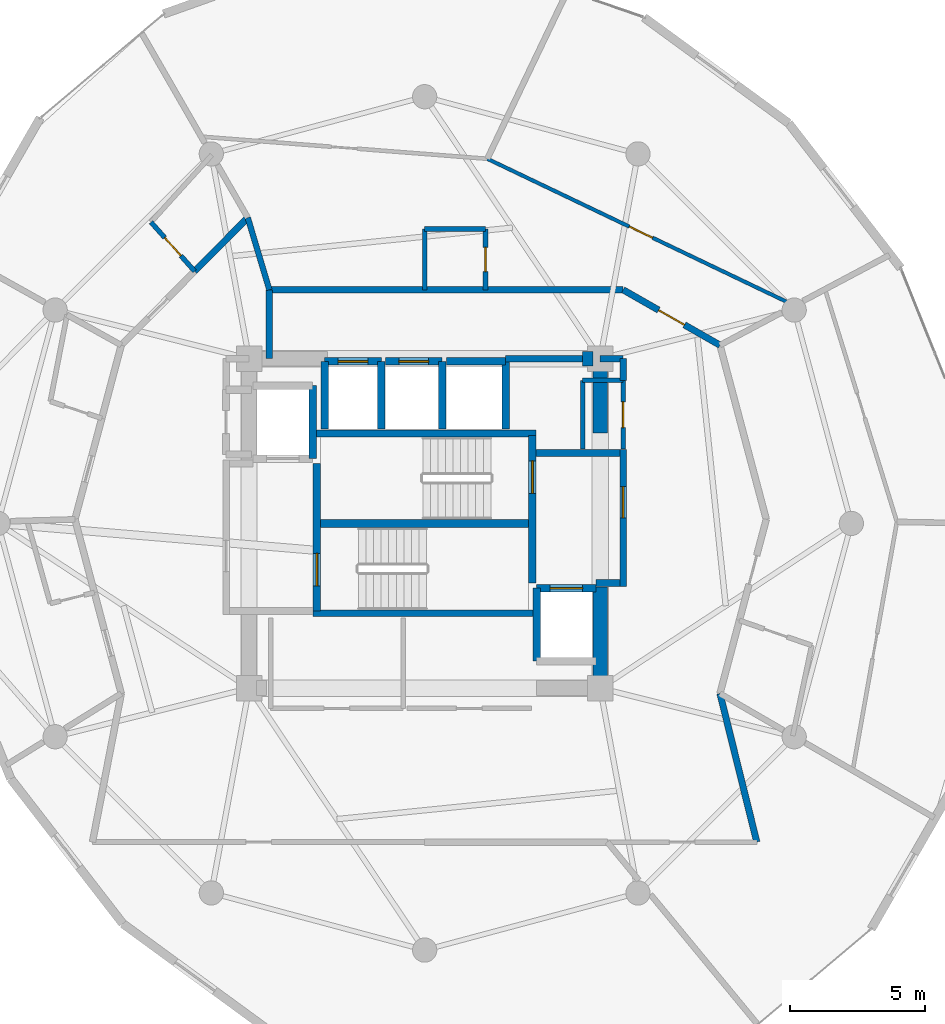
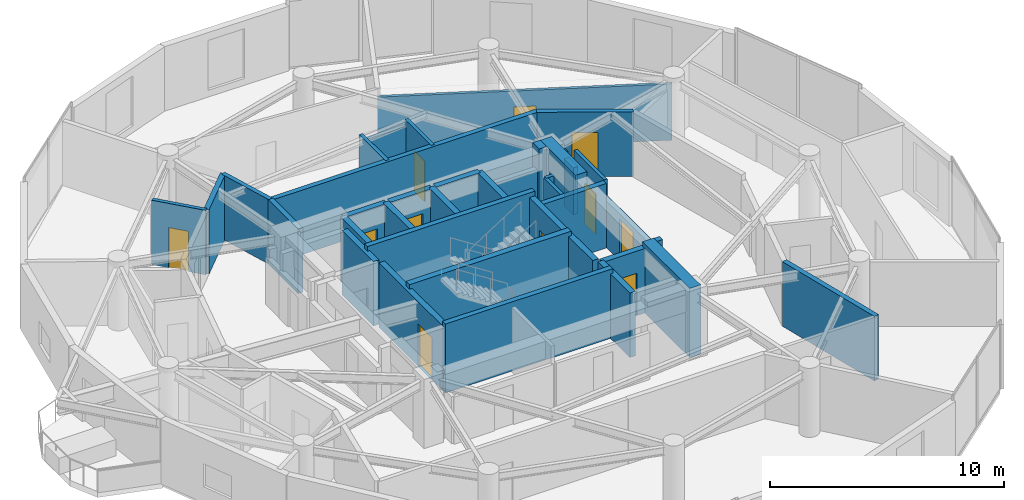
# One storey, part 13 of 17: 38 walls, 11 doors, 11 openings.
"""IFC4 building model written with IfcOpenShell, lengths in metres."""

from ifc_helpers import new_model, si_unit, direction, frame, frame_2d, origin, place, context, subcontext, project, spatial, rectangle, extrude, material, layer, layer_set, type_object, element, fill, save


model = new_model("IFC4")

# Units and contexts
model_context = context("Model", 3, precision=1e-05, world=origin(), true_north=direction((0.0, 1.0)))
body_context = subcontext(model_context, "Body", "Model", "MODEL_VIEW")
ifc_project = project(units=[si_unit("LENGTHUNIT", "METRE"), si_unit("AREAUNIT", "SQUARE_METRE"), si_unit("VOLUMEUNIT", "CUBIC_METRE"), si_unit("PLANEANGLEUNIT", "RADIAN"), si_unit("MASSUNIT", "GRAM", prefix="KILO")], contexts=[model_context])

# Site, building, storey
site_placement = place(None, origin())
site = spatial("IfcSite", under=ifc_project, at=site_placement, CompositionType="ELEMENT")
building_placement = place(site_placement, origin())
building = spatial("IfcBuilding", under=site, at=building_placement, Name="Solvirekh Grand Hotel", CompositionType="ELEMENT")
storey_placement = place(building_placement, frame((0.0, 0.0, 191.199951171875)))
storey = spatial("IfcBuildingStorey", under=building, at=storey_placement, Name="L49", CompositionType="ELEMENT", Elevation=191.199951171875)

# Walls
ifc_material_1 = material(Name="Concrete C50/60", Category="concrete")
ifc_layer_1 = layer(ifc_material_1, 0.35009765625)
ifc_layer_set_1 = layer_set([ifc_layer_1], Name="Concrete C50/60")
wall_type_1 = type_object("IfcWallType", Name="CoreDivWall_RC350", PredefinedType="SOLIDWALL", material=ifc_layer_set_1)
for number, where, z_axis, x_axis, name in (
    (1, (-4.1298828125, -3.324951171875, 0.0), (0.0, 0.0, 1.0), (1.0, 0.0, 0.0), "L49 core stair box wall ST-S"),
    (2, (-4.1298828125, 3.324951171875, 0.0), (0.0, 0.0, 1.0), (1.0, 0.0, 0.0), "L49 core stair box wall ST-N"),
):
    element("IfcWall", number, at=place(storey_placement, frame(where, z_axis=z_axis, x_axis=x_axis)), inside=storey, type_object=wall_type_1, Name=name, PredefinedType="SOLIDWALL", context=body_context, shape_type="SweptSolid", body=[
        extrude(rectangle(XDim=8.259765625, YDim=0.25, at=frame_2d((4.1298828125, 0.0))), origin(), (0.0, 0.0, 1.0), 3.60009765625),
    ])

# Wall, opening, door
ifc_material_2 = material(Name="Concrete C40/50", Category="concrete")
ifc_layer_2 = layer(ifc_material_2, 0.280029296875)
ifc_layer_set_2 = layer_set([ifc_layer_2], Name="Concrete C40/50")
wall_type_2 = type_object("IfcWallType", Name="CoreShaftWall_RC280", PredefinedType="SOLIDWALL", material=ifc_layer_set_2)
wall_1_placement = place(storey_placement, frame((-1.60009765625, 6.0, 0.0), z_axis=(0.0, 0.0, 1.0), x_axis=(-1.0, 0.0, 0.0)))
wall_1 = element("IfcWall", 3, at=wall_1_placement, inside=storey, type_object=wall_type_2, Name="L49 HP-1 hoistway N wall", PredefinedType="SOLIDWALL", context=body_context, shape_type="SweptSolid", body=[
    extrude(rectangle(XDim=2.099853515625, YDim=0.280029296875, at=frame_2d((1.0498046875, 0.0))), origin(), (0.0, 0.0, 1.0), 3.360107421875),
])
opening_1_placement = place(wall_1_placement, frame((0.5, 0.0, 0.0)))
opening_1 = element("IfcOpeningElement", 4, at=opening_1_placement, cuts=wall_1, Name="Opening LD01", PredefinedType="OPENING", context=body_context, shape_type="SweptSolid", body=[
    extrude(rectangle(XDim=1.10009765625, YDim=2.199951171875, at=frame_2d((0.550048828125, 1.10009765625))), frame((0.0, 0.14990234375, 0.0), z_axis=(0.0, -1.0, 0.0), x_axis=(1.0, 0.0, 0.0)), (0.0, 0.0, 1.0), 0.300048828125),
])
ifc_material_3 = material(Name="Fire-Rated Steel Door Assembly", Category="steel")
door_type_1 = type_object("IfcDoorType", Name="Door_LiftLanding_1100X2200", OperationType="SLIDING_TO_LEFT", PredefinedType="DOOR", material=ifc_material_3)
door_1_placement = place(opening_1_placement, origin())
door_1 = element("IfcDoor", 5, at=door_1_placement, inside=storey, type_object=door_type_1, Name="L49 HP-1 sliding lift landing door", OperationType="SLIDING_TO_LEFT", OverallHeight=2.199951171875, OverallWidth=1.10009765625, PredefinedType="DOOR", context=body_context, shape_type="SweptSolid", body=[
    extrude(rectangle(XDim=1.10009765625, YDim=2.199951171875, at=frame_2d((0.550048828125, 1.10009765625))), frame((0.0, 0.02490234375, 0.0), z_axis=(0.0, -1.0, 0.0), x_axis=(1.0, 0.0, 0.0)), (0.0, 0.0, 1.0), 0.050048828125),
])
fill(opening_1, door_1)

# Walls
for number, where, z_axis, x_axis, name in (
    (6, (-3.699951171875, 6.0, 0.0), (0.0, 0.0, 1.0), (0.0, -1.0, 0.0), "L49 HP-1 hoistway W wall"),
    (7, (-1.60009765625, 3.5, 0.0), (0.0, 0.0, 1.0), (0.0, 1.0, 0.0), "L49 HP-1 hoistway E wall"),
):
    element("IfcWall", number, at=place(storey_placement, frame(where, z_axis=z_axis, x_axis=x_axis)), inside=storey, type_object=wall_type_2, Name=name, PredefinedType="SOLIDWALL", context=body_context, shape_type="SweptSolid", body=[
        extrude(rectangle(XDim=2.5, YDim=0.280029296875, at=frame_2d((1.25, 0.0))), origin(), (0.0, 0.0, 1.0), 3.360107421875),
    ])

# Wall, opening, door
wall_2_placement = place(storey_placement, frame((0.64990234375, 6.0, 0.0), z_axis=(0.0, 0.0, 1.0), x_axis=(-1.0, 0.0, 0.0)))
wall_2 = element("IfcWall", 8, at=wall_2_placement, inside=storey, type_object=wall_type_2, Name="L49 HP-2 hoistway N wall", PredefinedType="SOLIDWALL", context=body_context, shape_type="SweptSolid", body=[
    extrude(rectangle(XDim=2.099853515625, YDim=0.280029296875, at=frame_2d((1.0498046875, 0.0))), origin(), (0.0, 0.0, 1.0), 3.360107421875),
])
opening_2_placement = place(wall_2_placement, frame((0.5, 0.0, 0.0)))
opening_2 = element("IfcOpeningElement", 9, at=opening_2_placement, cuts=wall_2, Name="Opening LD01", PredefinedType="OPENING", context=body_context, shape_type="SweptSolid", body=[
    extrude(rectangle(XDim=1.10009765625, YDim=2.199951171875, at=frame_2d((0.550048828125, 1.10009765625))), frame((0.0, 0.14990234375, 0.0), z_axis=(0.0, -1.0, 0.0), x_axis=(1.0, 0.0, 0.0)), (0.0, 0.0, 1.0), 0.300048828125),
])
door_2_placement = place(opening_2_placement, origin())
door_2 = element("IfcDoor", 10, at=door_2_placement, inside=storey, type_object=door_type_1, Name="L49 HP-2 sliding lift landing door", OperationType="SLIDING_TO_LEFT", OverallHeight=2.199951171875, OverallWidth=1.10009765625, PredefinedType="DOOR", context=body_context, shape_type="SweptSolid", body=[
    extrude(rectangle(XDim=1.10009765625, YDim=2.199951171875, at=frame_2d((0.550048828125, 1.10009765625))), frame((0.0, 0.02490234375, 0.0), z_axis=(0.0, -1.0, 0.0), x_axis=(1.0, 0.0, 0.0)), (0.0, 0.0, 1.0), 0.050048828125),
])
fill(opening_2, door_2)

# Walls
wall_3_placement = place(storey_placement, frame((0.64990234375, 3.5, 0.0), z_axis=(0.0, 0.0, 1.0), x_axis=(0.0, 1.0, 0.0)))
element("IfcWall", 11, at=wall_3_placement, inside=storey, type_object=wall_type_2, Name="L49 HP-2 hoistway E wall", PredefinedType="SOLIDWALL", context=body_context, shape_type="SweptSolid", body=[
    extrude(rectangle(XDim=2.5, YDim=0.280029296875, at=frame_2d((1.25, 0.0))), origin(), (0.0, 0.0, 1.0), 3.360107421875),
])
wall_4_placement = place(storey_placement, frame((3.0, 6.0, 0.0), z_axis=(0.0, 0.0, 1.0), x_axis=(-1.0, 0.0, 0.0)))
element("IfcWall", 12, at=wall_4_placement, inside=storey, type_object=wall_type_2, Name="L49 EX-1 hoistway N wall", PredefinedType="SOLIDWALL", context=body_context, shape_type="SweptSolid", body=[
    extrude(rectangle(XDim=2.199951171875, YDim=0.280029296875, at=frame_2d((1.10009765625, 0.0))), origin(), (0.0, 0.0, 1.0), 3.360107421875),
])
wall_5_placement = place(storey_placement, frame((3.0, 3.5, 0.0), z_axis=(0.0, 0.0, 1.0), x_axis=(0.0, 1.0, 0.0)))
element("IfcWall", 13, at=wall_5_placement, inside=storey, type_object=wall_type_2, Name="L49 EX-1 hoistway E wall", PredefinedType="SOLIDWALL", context=body_context, shape_type="SweptSolid", body=[
    extrude(rectangle(XDim=2.5, YDim=0.280029296875, at=frame_2d((1.25, 0.0))), origin(), (0.0, 0.0, 1.0), 3.360107421875),
])
wall_6_placement = place(storey_placement, frame((-4.14990234375, 2.39990234375, 0.0), z_axis=(0.0, 0.0, 1.0), x_axis=(0.0, 1.0, 0.0)))
element("IfcWall", 14, at=wall_6_placement, inside=storey, type_object=wall_type_2, Name="L49 FL-1 hoistway E wall", PredefinedType="SOLIDWALL", context=body_context, shape_type="SweptSolid", body=[
    extrude(rectangle(XDim=2.7001953125, YDim=0.280029296875, at=frame_2d((1.35009765625, 0.0))), origin(), (0.0, 0.0, 1.0), 3.360107421875),
])

# Wall, opening, door
wall_7_placement = place(storey_placement, frame((6.35009765625, -2.39990234375, 0.0), z_axis=(0.0, 0.0, 1.0), x_axis=(-1.0, 0.0, 0.0)))
wall_7 = element("IfcWall", 15, at=wall_7_placement, inside=storey, type_object=wall_type_2, Name="L49 FL-2 hoistway N wall", PredefinedType="SOLIDWALL", context=body_context, shape_type="SweptSolid", body=[
    extrude(rectangle(XDim=2.2001953125, YDim=0.280029296875, at=frame_2d((1.10009765625, 0.0))), origin(), (0.0, 0.0, 1.0), 3.360107421875),
])
opening_3_placement = place(wall_7_placement, frame((0.5, 0.0, 0.0)))
opening_3 = element("IfcOpeningElement", 16, at=opening_3_placement, cuts=wall_7, Name="Opening LD02", PredefinedType="OPENING", context=body_context, shape_type="SweptSolid", body=[
    extrude(rectangle(XDim=1.199951171875, YDim=2.199951171875, at=frame_2d((0.60009765625, 1.10009765625))), frame((0.0, 0.14990234375, 0.0), z_axis=(0.0, -1.0, 0.0), x_axis=(1.0, 0.0, 0.0)), (0.0, 0.0, 1.0), 0.300048828125),
])
door_type_2 = type_object("IfcDoorType", Name="Door_LiftFF_1200X2200", OperationType="SLIDING_TO_LEFT", PredefinedType="DOOR", material=ifc_material_3)
door_3_placement = place(opening_3_placement, origin())
door_3 = element("IfcDoor", 17, at=door_3_placement, inside=storey, type_object=door_type_2, Name="L49 FL-2 sliding lift landing door", OperationType="SLIDING_TO_LEFT", OverallHeight=2.199951171875, OverallWidth=1.199951171875, PredefinedType="DOOR", context=body_context, shape_type="SweptSolid", body=[
    extrude(rectangle(XDim=1.199951171875, YDim=2.199951171875, at=frame_2d((0.60009765625, 1.10009765625))), frame((0.0, 0.02490234375, 0.0), z_axis=(0.0, -1.0, 0.0), x_axis=(1.0, 0.0, 0.0)), (0.0, 0.0, 1.0), 0.050048828125),
])
fill(opening_3, door_3)

# Wall
wall_8_placement = place(storey_placement, frame((4.14990234375, -2.39990234375, 0.0), z_axis=(0.0, 0.0, 1.0), x_axis=(0.0, -1.0, 0.0)))
element("IfcWall", 18, at=wall_8_placement, inside=storey, type_object=wall_type_2, Name="L49 FL-2 hoistway W wall", PredefinedType="SOLIDWALL", context=body_context, shape_type="SweptSolid", body=[
    extrude(rectangle(XDim=2.7001953125, YDim=0.280029296875, at=frame_2d((1.35009765625, 0.0))), origin(), (0.0, 0.0, 1.0), 3.360107421875),
])

# Wall, opening, door
wall_9_placement = place(storey_placement, frame((-3.989990234375, -3.25, 0.0), z_axis=(0.0, 0.0, 1.0), x_axis=(0.0, 1.0, 0.0)))
wall_9 = element("IfcWall", 19, at=wall_9_placement, inside=storey, type_object=wall_type_2, Name="L49 west stair landing enclosure wall", PredefinedType="SOLIDWALL", context=body_context, shape_type="SweptSolid", body=[
    extrude(rectangle(XDim=5.4599609375, YDim=0.280029296875, at=frame_2d((2.72998046875, 0.0))), origin(), (0.0, 0.0, 1.0), 3.360107421875),
])
opening_4_placement = place(wall_9_placement, frame((0.93701171875, 0.0, 0.0)))
opening_4 = element("IfcOpeningElement", 20, at=opening_4_placement, cuts=wall_9, Name="Opening D05", PredefinedType="OPENING", context=body_context, shape_type="SweptSolid", body=[
    extrude(rectangle(XDim=1.199951171875, YDim=2.199951171875, at=frame_2d((0.60009765625, 1.10009765625))), frame((0.0, 0.14990234375, 0.0), z_axis=(0.0, -1.0, 0.0), x_axis=(1.0, 0.0, 0.0)), (0.0, 0.0, 1.0), 0.300048828125),
])
door_type_3 = type_object("IfcDoorType", Name="Door_StairCore_1200X2200", OperationType="NOTDEFINED", PredefinedType="DOOR", material=ifc_material_3)
door_4_placement = place(opening_4_placement, origin())
door_4 = element("IfcDoor", 21, at=door_4_placement, inside=storey, type_object=door_type_3, Name="L49 exit stair ST-1 fire door", OperationType="SINGLE_SWING_RIGHT", OverallHeight=2.199951171875, OverallWidth=1.199951171875, PredefinedType="DOOR", context=body_context, shape_type="SweptSolid", body=[
    extrude(rectangle(XDim=1.199951171875, YDim=2.199951171875, at=frame_2d((0.60009765625, 1.10009765625))), frame((0.0, 0.02490234375, 0.0), z_axis=(0.0, -1.0, 0.0), x_axis=(1.0, 0.0, 0.0)), (0.0, 0.0, 1.0), 0.050048828125),
])
fill(opening_4, door_4)

wall_10_placement = place(storey_placement, frame((3.989990234375, -2.2099609375, 0.0), z_axis=(0.0, 0.0, 1.0), x_axis=(0.0, 1.0, 0.0)))
wall_10 = element("IfcWall", 22, at=wall_10_placement, inside=storey, type_object=wall_type_2, Name="L49 east stair landing enclosure wall", PredefinedType="SOLIDWALL", context=body_context, shape_type="SweptSolid", body=[
    extrude(rectangle(XDim=5.4599609375, YDim=0.280029296875, at=frame_2d((2.72998046875, 0.0))), origin(), (0.0, 0.0, 1.0), 3.360107421875),
])
opening_5_placement = place(wall_10_placement, frame((3.322998046875, 0.0, 0.0)))
opening_5 = element("IfcOpeningElement", 23, at=opening_5_placement, cuts=wall_10, Name="Opening D05", PredefinedType="OPENING", context=body_context, shape_type="SweptSolid", body=[
    extrude(rectangle(XDim=1.199951171875, YDim=2.199951171875, at=frame_2d((0.60009765625, 1.10009765625))), frame((0.0, 0.14990234375, 0.0), z_axis=(0.0, -1.0, 0.0), x_axis=(1.0, 0.0, 0.0)), (0.0, 0.0, 1.0), 0.300048828125),
])
door_5_placement = place(opening_5_placement, origin())
door_5 = element("IfcDoor", 24, at=door_5_placement, inside=storey, type_object=door_type_3, Name="L49 exit stair ST-2 fire door", OperationType="SINGLE_SWING_LEFT", OverallHeight=2.199951171875, OverallWidth=1.199951171875, PredefinedType="DOOR", context=body_context, shape_type="SweptSolid", body=[
    extrude(rectangle(XDim=1.199951171875, YDim=2.199951171875, at=frame_2d((0.60009765625, 1.10009765625))), frame((0.0, 0.02490234375, 0.0), z_axis=(0.0, -1.0, 0.0), x_axis=(1.0, 0.0, 0.0)), (0.0, 0.0, 1.0), 0.050048828125),
])
fill(opening_5, door_5)

# Walls
ifc_layer_3 = layer(ifc_material_1, 0.550048828125)
ifc_layer_set_3 = layer_set([ifc_layer_3], Name="Concrete C50/60")
wall_type_3 = type_object("IfcWallType", Name="CoreWall_RC550", PredefinedType="SHEAR", material=ifc_layer_set_3)
wall_11_placement = place(storey_placement, frame((-3.989990234375, 0.0, 0.0), z_axis=(0.0, 0.0, 1.0), x_axis=(1.0, 0.0, 0.0)))
element("IfcWall", 25, at=wall_11_placement, inside=storey, type_object=wall_type_3, Name="L49 central stair-spine shear wall", PredefinedType="SHEAR", context=body_context, shape_type="SweptSolid", body=[
    extrude(rectangle(XDim=7.97998046875, YDim=0.300048828125, at=frame_2d((3.989990234375, 0.0))), origin(), (0.0, 0.0, 1.0), 3.60009765625),
])
wall_12_placement = place(storey_placement, frame((5.85009765625, 6.10009765625, 0.0), z_axis=(0.0, 0.0, 1.0), x_axis=(1.0, 0.0, 0.0)))
element("IfcWall", 26, at=wall_12_placement, inside=storey, type_object=wall_type_3, Name="L49 core corner shear wall NE-N", PredefinedType="SHEAR", context=body_context, shape_type="SweptSolid", body=[
    extrude(rectangle(XDim=0.375, YDim=0.550048828125, at=frame_2d((0.1875, 0.0))), origin(), (0.0, 0.0, 1.0), 3.60009765625),
])
wall_13_placement = place(storey_placement, frame((6.5, -6.375, 0.0), z_axis=(0.0, 0.0, 1.0), x_axis=(0.0, 1.0, 0.0)))
element("IfcWall", 27, at=wall_13_placement, inside=storey, type_object=wall_type_3, Name="L49 core corner shear wall ES-E", PredefinedType="SHEAR", context=body_context, shape_type="SweptSolid", body=[
    extrude(rectangle(XDim=4.02490234375, YDim=0.550048828125, at=frame_2d((2.012451171875, 0.0))), origin(), (0.0, 0.0, 1.0), 3.60009765625),
])
wall_14_placement = place(storey_placement, frame((6.5, 3.35009765625, 0.0), z_axis=(0.0, 0.0, 1.0), x_axis=(0.0, 1.0, 0.0)))
element("IfcWall", 28, at=wall_14_placement, inside=storey, type_object=wall_type_3, Name="L49 core corner shear wall EN-E", PredefinedType="SHEAR", context=body_context, shape_type="SweptSolid", body=[
    extrude(rectangle(XDim=3.02490234375, YDim=0.550048828125, at=frame_2d((1.512451171875, 0.0))), origin(), (0.0, 0.0, 1.0), 3.60009765625),
])

# Wall, opening, door
ifc_material_4 = material(Name="Acoustic Gypsum Partition Assembly")
ifc_layer_4 = layer(ifc_material_4, 0.1650390625)
ifc_layer_set_4 = layer_set([ifc_layer_4], Name="Acoustic Gypsum Partition Assembly")
wall_type_4 = type_object("IfcWallType", Name="Part_BOH_165", PredefinedType="PARTITIONING", material=ifc_layer_set_4)
wall_15_placement = place(storey_placement, frame((7.35009765625, 2.75, 0.0), z_axis=(0.0, 0.0, 1.0), x_axis=(0.0, 1.0, 0.0)))
wall_15 = element("IfcWall", 29, at=wall_15_placement, inside=storey, type_object=wall_type_4, Name="L49 L49 Core Housekeeping & Linen Room wall 2", PredefinedType="PARTITIONING", context=body_context, shape_type="SweptSolid", body=[
    extrude(rectangle(XDim=2.550048828125, YDim=0.1650390625, at=frame_2d((1.27490234375, 0.0))), origin(), (0.0, 0.0, 1.0), 3.360107421875),
])
opening_6_placement = place(wall_15_placement, frame((0.800048828125, 0.0, 0.0)))
opening_6 = element("IfcOpeningElement", 30, at=opening_6_placement, cuts=wall_15, Name="Opening D10", PredefinedType="OPENING", context=body_context, shape_type="SweptSolid", body=[
    extrude(rectangle(XDim=0.949951171875, YDim=2.10009765625, at=frame_2d((0.47509765625, 1.050048828125))), frame((0.0, 0.092529296875, 0.0), z_axis=(0.0, -1.0, 0.0), x_axis=(1.0, 0.0, 0.0)), (0.0, 0.0, 1.0), 0.18505859375),
])
ifc_material_5 = material(Name="Anodized Bronze Aluminium 6063-T6", Category="aluminium")
door_type_4 = type_object("IfcDoorType", Name="Door_RoomInt_950X2100", OperationType="NOTDEFINED", PredefinedType="DOOR", material=ifc_material_5)
door_6_placement = place(opening_6_placement, origin())
door_6 = element("IfcDoor", 31, at=door_6_placement, inside=storey, type_object=door_type_4, Name="L49 L49 Core Housekeeping & Linen Room door", OperationType="SINGLE_SWING_LEFT", OverallHeight=2.10009765625, OverallWidth=0.949951171875, PredefinedType="DOOR", context=body_context, shape_type="SweptSolid", body=[
    extrude(rectangle(XDim=0.949951171875, YDim=2.10009765625, at=frame_2d((0.47509765625, 1.050048828125))), frame((0.0, 0.02490234375, 0.0), z_axis=(0.0, -1.0, 0.0), x_axis=(1.0, 0.0, 0.0)), (0.0, 0.0, 1.0), 0.050048828125),
])
fill(opening_6, door_6)

# Walls
wall_16_placement = place(storey_placement, frame((7.35009765625, 5.300048828125, 0.0), z_axis=(0.0, 0.0, 1.0), x_axis=(-1.0, 0.0, 0.0)))
element("IfcWall", 32, at=wall_16_placement, inside=storey, type_object=wall_type_4, Name="L49 L49 Core Housekeeping & Linen Room wall 3", PredefinedType="PARTITIONING", context=body_context, shape_type="SweptSolid", body=[
    extrude(rectangle(XDim=1.5, YDim=0.1650390625, at=frame_2d((0.75, 0.0))), origin(), (0.0, 0.0, 1.0), 2.445068359375),
])
wall_17_placement = place(storey_placement, frame((5.85009765625, 5.300048828125, 0.0), z_axis=(0.0, 0.0, 1.0), x_axis=(0.0, -1.0, 0.0)))
element("IfcWall", 33, at=wall_17_placement, inside=storey, type_object=wall_type_4, Name="L49 L49 Core Housekeeping & Linen Room wall 4", PredefinedType="PARTITIONING", context=body_context, shape_type="SweptSolid", body=[
    extrude(rectangle(XDim=2.550048828125, YDim=0.1650390625, at=frame_2d((1.27490234375, 0.0))), origin(), (0.0, 0.0, 1.0), 2.445068359375),
])

# Wall, opening, door
ifc_layer_5 = layer(ifc_material_4, 0.239990234375)
ifc_layer_set_5 = layer_set([ifc_layer_5], Name="Acoustic Gypsum Partition Assembly")
wall_type_5 = type_object("IfcWallType", Name="Part_Corridor_240", PredefinedType="PARTITIONING", material=ifc_layer_set_5)
wall_18_placement = place(storey_placement, frame((7.35009765625, -2.340087890625, 0.0), z_axis=(0.0, 0.0, 1.0), x_axis=(0.0, 1.0, 0.0)))
wall_18 = element("IfcWall", 34, at=wall_18_placement, inside=storey, type_object=wall_type_5, Name="L49 east firefighting lobby smoke screen wall", PredefinedType="PARTITIONING", context=body_context, shape_type="SweptSolid", body=[
    extrude(rectangle(XDim=5.070068359375, YDim=0.239990234375, at=frame_2d((2.53515625, 0.0))), origin(), (0.0, 0.0, 1.0), 2.445068359375),
])
opening_7_placement = place(wall_18_placement, frame((2.548095703125, 0.0, 0.0)))
opening_7 = element("IfcOpeningElement", 35, at=opening_7_placement, cuts=wall_18, Name="Opening D06", PredefinedType="OPENING", context=body_context, shape_type="SweptSolid", body=[
    extrude(rectangle(XDim=1.14990234375, YDim=2.199951171875, at=frame_2d((0.574951171875, 1.10009765625))), frame((0.0, 0.1298828125, 0.0), z_axis=(0.0, -1.0, 0.0), x_axis=(1.0, 0.0, 0.0)), (0.0, 0.0, 1.0), 0.260009765625),
])
door_type_5 = type_object("IfcDoorType", Name="Door_FFLobby_1150X2200", OperationType="NOTDEFINED", PredefinedType="DOOR", material=ifc_material_3)
door_7_placement = place(opening_7_placement, origin())
door_7 = element("IfcDoor", 36, at=door_7_placement, inside=storey, type_object=door_type_5, Name="L49 east firefighting lobby smoke door", OperationType="SINGLE_SWING_LEFT", OverallHeight=2.199951171875, OverallWidth=1.14990234375, PredefinedType="DOOR", context=body_context, shape_type="SweptSolid", body=[
    extrude(rectangle(XDim=1.14990234375, YDim=2.199951171875, at=frame_2d((0.574951171875, 1.10009765625))), frame((0.0, 0.02490234375, 0.0), z_axis=(0.0, -1.0, 0.0), x_axis=(1.0, 0.0, 0.0)), (0.0, 0.0, 1.0), 0.050048828125),
])
fill(opening_7, door_7)

# Walls
wall_19_placement = place(storey_placement, frame((-5.75, 8.64990234375, 0.0), z_axis=(0.0, 0.0, 1.0), x_axis=(1.0, 0.0, 0.0)))
element("IfcWall", 37, at=wall_19_placement, inside=storey, type_object=wall_type_5, Name="L49 north lift lobby enclosure wall", PredefinedType="PARTITIONING", context=body_context, shape_type="SweptSolid", body=[
    extrude(rectangle(XDim=13.10009765625, YDim=0.239990234375, at=frame_2d((6.550048828125, 0.0))), origin(), (0.0, 0.0, 1.0), 3.360107421875),
])
wall_20_placement = place(storey_placement, frame((3.0, 6.10009765625, 0.0), z_axis=(0.0, 0.0, 1.0), x_axis=(1.0, 0.0, 0.0)))
element("IfcWall", 38, at=wall_20_placement, inside=storey, type_object=wall_type_5, Name="L49 north core shaft infill wall", PredefinedType="PARTITIONING", context=body_context, shape_type="SweptSolid", body=[
    extrude(rectangle(XDim=2.85009765625, YDim=0.239990234375, at=frame_2d((1.425048828125, 0.0))), origin(), (0.0, 0.0, 1.0), 2.445068359375),
])
wall_21_placement = place(storey_placement, frame((7.35009765625, 5.300048828125, 0.0), z_axis=(0.0, 0.0, 1.0), x_axis=(0.0, 1.0, 0.0)))
element("IfcWall", 39, at=wall_21_placement, inside=storey, type_object=wall_type_5, Name="L49 NE core cheek closure wall", PredefinedType="PARTITIONING", context=body_context, shape_type="SweptSolid", body=[
    extrude(rectangle(XDim=0.800048828125, YDim=0.239990234375, at=frame_2d((0.39990234375, 0.0))), origin(), (0.0, 0.0, 1.0), 2.445068359375),
])
wall_22_placement = place(storey_placement, frame((6.5, 6.10009765625, 0.0), z_axis=(0.0, 0.0, 1.0), x_axis=(1.0, 0.0, 0.0)))
element("IfcWall", 40, at=wall_22_placement, inside=storey, type_object=wall_type_5, Name="L49 NE core corner tie wall", PredefinedType="PARTITIONING", context=body_context, shape_type="SweptSolid", body=[
    extrude(rectangle(XDim=0.85009765625, YDim=0.239990234375, at=frame_2d((0.425048828125, 0.0))), origin(), (0.0, 0.0, 1.0), 2.8759765625),
])
wall_23_placement = place(storey_placement, frame((-5.75, 6.10009765625, 0.0), z_axis=(0.0, 0.0, 1.0), x_axis=(0.0, 1.0, 0.0)))
element("IfcWall", 41, at=wall_23_placement, inside=storey, type_object=wall_type_5, Name="L49 north lift lobby west wall", PredefinedType="PARTITIONING", context=body_context, shape_type="SweptSolid", body=[
    extrude(rectangle(XDim=2.5498046875, YDim=0.239990234375, at=frame_2d((1.27490234375, 0.0))), origin(), (0.0, 0.0, 1.0), 3.360107421875),
])

# Wall, opening, door
wall_24_placement = place(storey_placement, frame((7.35009765625, 8.64990234375, 0.0), z_axis=(0.0, 0.0, 1.0), x_axis=(0.868112139229, -0.496368123193, 0.0)))
wall_24 = element("IfcWall", 42, at=wall_24_placement, inside=storey, type_object=wall_type_5, Name="L49 Panorama Suite 5101 Inner Suite Lounge entrance wall", PredefinedType="PARTITIONING", context=body_context, shape_type="SweptSolid", body=[
    extrude(rectangle(XDim=4.129638671875, YDim=0.239990234375, at=frame_2d((2.06494140625, 0.0))), origin(), (0.0, 0.0, 1.0), 3.360107421875),
])
opening_8_placement = place(wall_24_placement, frame((1.514892578125, 0.0, 0.0)))
opening_8 = element("IfcOpeningElement", 43, at=opening_8_placement, cuts=wall_24, Name="Opening D08", PredefinedType="OPENING", context=body_context, shape_type="SweptSolid", body=[
    extrude(rectangle(XDim=1.10009765625, YDim=2.300048828125, at=frame_2d((0.550048828125, 1.14990234375))), frame((0.0, 0.1298828125, 0.0), z_axis=(0.0, -1.0, 0.0), x_axis=(1.0, 0.0, 0.0)), (0.0, 0.0, 1.0), 0.260009765625),
])
door_type_6 = type_object("IfcDoorType", Name="Door_SuiteEntry_1100X2300", OperationType="NOTDEFINED", PredefinedType="DOOR", material=ifc_material_3)
door_8_placement = place(opening_8_placement, origin())
door_8 = element("IfcDoor", 44, at=door_8_placement, inside=storey, type_object=door_type_6, Name="L49 Panorama Suite 5101 Inner Suite Lounge entrance door", OperationType="SINGLE_SWING_LEFT", OverallHeight=2.300048828125, OverallWidth=1.10009765625, PredefinedType="DOOR", context=body_context, shape_type="SweptSolid", body=[
    extrude(rectangle(XDim=1.10009765625, YDim=2.300048828125, at=frame_2d((0.550048828125, 1.14990234375))), frame((0.0, 0.02490234375, 0.0), z_axis=(0.0, -1.0, 0.0), x_axis=(1.0, 0.0, 0.0)), (0.0, 0.0, 1.0), 0.050048828125),
])
fill(opening_8, door_8)

# Walls
wall_25_placement = place(storey_placement, frame((-6.550048828125, 11.322021484375, 0.0), z_axis=(0.0, 0.0, 1.0), x_axis=(-0.704436417235, -0.709767098472, 0.0)))
element("IfcWall", 45, at=wall_25_placement, inside=storey, type_object=wall_type_5, Name="L49 En-suite Bathroom 5102 corridor backing wall", PredefinedType="PARTITIONING", context=body_context, shape_type="SweptSolid", body=[
    extrude(rectangle(XDim=2.793701171875, YDim=0.239990234375, at=frame_2d((1.39697265625, 0.0))), origin(), (0.0, 0.0, 1.0), 3.360107421875),
])
wall_26_placement = place(storey_placement, frame((12.300048828125, -11.800048828125, 0.0), z_axis=(0.0, 0.0, 1.0), x_axis=(-0.240872801332, 0.970556692614, 0.0)))
element("IfcWall", 46, at=wall_26_placement, inside=storey, type_object=wall_type_5, Name="L49 L49 Butler Valet & Linen Steward Room corridor wall 1", PredefinedType="PARTITIONING", context=body_context, shape_type="SweptSolid", body=[
    extrude(rectangle(XDim=5.666748046875, YDim=0.239990234375, at=frame_2d((2.83349609375, 0.0))), origin(), (0.0, 0.0, 1.0), 3.360107421875),
])
ifc_layer_6 = layer(ifc_material_4, 0.260009765625)
ifc_layer_set_6 = layer_set([ifc_layer_6], Name="Acoustic Gypsum Partition Assembly")
wall_type_6 = type_object("IfcWallType", Name="Part_LobbyFF_260", PredefinedType="PARTITIONING", material=ifc_layer_set_6)
wall_27_placement = place(storey_placement, frame((6.35009765625, -2.2099609375, 0.0), z_axis=(0.0, 0.0, 1.0), x_axis=(1.0, 0.0, 0.0)))
element("IfcWall", 47, at=wall_27_placement, inside=storey, type_object=wall_type_6, Name="L49 east firefighting lobby SE cheek", PredefinedType="PARTITIONING", context=body_context, shape_type="SweptSolid", body=[
    extrude(rectangle(XDim=0.875, YDim=0.260009765625, at=frame_2d((0.4375, 0.0))), origin(), (0.0, 0.0, 1.0), 3.360107421875),
])
wall_28_placement = place(storey_placement, frame((4.1298828125, 2.60009765625, 0.0), z_axis=(0.0, 0.0, 1.0), x_axis=(1.0, 0.0, 0.0)))
element("IfcWall", 48, at=wall_28_placement, inside=storey, type_object=wall_type_6, Name="L49 east firefighting lobby north partition", PredefinedType="PARTITIONING", context=body_context, shape_type="SweptSolid", body=[
    extrude(rectangle(XDim=3.09521484375, YDim=0.260009765625, at=frame_2d((1.547607421875, 0.0))), origin(), (0.0, 0.0, 1.0), 3.360107421875),
])

# Wall, opening, door
ifc_layer_7 = layer(ifc_material_4, 0.135009765625)
ifc_layer_set_7 = layer_set([ifc_layer_7], Name="Acoustic Gypsum Partition Assembly")
wall_type_7 = type_object("IfcWallType", Name="Part_RoomInt_135", PredefinedType="PARTITIONING", material=ifc_layer_set_7)
wall_29_placement = place(storey_placement, frame((2.320068359375, 13.501953125, 0.0), z_axis=(0.0, 0.0, 1.0), x_axis=(0.90230783313, -0.431092303656, 0.0)))
wall_29 = element("IfcWall", 49, at=wall_29_placement, inside=storey, type_object=wall_type_7, Name="L49 Panorama Suite 5101 North Sitting Room bedroom screen wall", PredefinedType="PARTITIONING", context=body_context, shape_type="SweptSolid", body=[
    extrude(rectangle(XDim=12.607666015625, YDim=0.135009765625, at=frame_2d((6.3037109375, 0.0))), origin(), (0.0, 0.0, 1.0), 2.928955078125),
])
opening_9_placement = place(wall_29_placement, frame((5.8291015625, 0.0, 0.0)))
opening_9 = element("IfcOpeningElement", 50, at=opening_9_placement, cuts=wall_29, Name="Opening D10", PredefinedType="OPENING", context=body_context, shape_type="SweptSolid", body=[
    extrude(rectangle(XDim=0.949951171875, YDim=2.10009765625, at=frame_2d((0.47509765625, 1.050048828125))), frame((0.0, 0.07763671875, 0.0), z_axis=(0.0, -1.0, 0.0), x_axis=(1.0, 0.0, 0.0)), (0.0, 0.0, 1.0), 0.155029296875),
])
door_9_placement = place(opening_9_placement, origin())
door_9 = element("IfcDoor", 51, at=door_9_placement, inside=storey, type_object=door_type_4, Name="L49 Panorama Suite 5101 North Sitting Room master bedroom door", OperationType="SINGLE_SWING_RIGHT", OverallHeight=2.10009765625, OverallWidth=0.949951171875, PredefinedType="DOOR", context=body_context, shape_type="SweptSolid", body=[
    extrude(rectangle(XDim=0.949951171875, YDim=2.10009765625, at=frame_2d((0.47509765625, 1.050048828125))), frame((0.0, 0.02490234375, 0.0), z_axis=(0.0, -1.0, 0.0), x_axis=(1.0, 0.0, 0.0)), (0.0, 0.0, 1.0), 0.050048828125),
])
fill(opening_9, door_9)

# Walls
ifc_layer_8 = layer(ifc_material_4, 0.2099609375)
ifc_layer_set_8 = layer_set([ifc_layer_8], Name="Acoustic Gypsum Partition Assembly")
wall_type_8 = type_object("IfcWallType", Name="Part_SuiteDemise_210", PredefinedType="PARTITIONING", material=ifc_layer_set_8)
wall_30_placement = place(storey_placement, frame((-6.550048828125, 11.322021484375, 0.0), z_axis=(0.0, 0.0, 1.0), x_axis=(0.286825893059, -0.957982727961, 0.0)))
element("IfcWall", 52, at=wall_30_placement, inside=storey, type_object=wall_type_8, Name="L49 Panorama Suite 5101 Inner Suite Lounge dividing partition 1", PredefinedType="PARTITIONING", context=body_context, shape_type="SweptSolid", body=[
    extrude(rectangle(XDim=2.789306640625, YDim=0.2099609375, at=frame_2d((1.39453125, 0.0))), origin(), (0.0, 0.0, 1.0), 3.360107421875),
])
ifc_layer_9 = layer(ifc_material_4, 0.175048828125)
ifc_layer_set_9 = layer_set([ifc_layer_9], Name="Acoustic Gypsum Partition Assembly")
wall_type_9 = type_object("IfcWallType", Name="Plumb_Ensuite_175", PredefinedType="PLUMBINGWALL", material=ifc_layer_set_9)
wall_31_placement = place(storey_placement, frame((0.0, 10.89990234375, 0.0), z_axis=(0.0, 0.0, 1.0), x_axis=(1.0, 0.0, 0.0)))
element("IfcWall", 53, at=wall_31_placement, inside=storey, type_object=wall_type_9, Name="L49 En-suite Bathroom 5101 outer plumbing wall", PredefinedType="PLUMBINGWALL", context=body_context, shape_type="SweptSolid", body=[
    extrude(rectangle(XDim=2.25, YDim=0.175048828125, at=frame_2d((1.125, 0.0))), origin(), (0.0, 0.0, 1.0), 3.0419921875),
])
wall_32_placement = place(storey_placement, frame((0.0, 10.89990234375, 0.0), z_axis=(0.0, 0.0, 1.0), x_axis=(0.0, -1.0, 0.0)))
element("IfcWall", 54, at=wall_32_placement, inside=storey, type_object=wall_type_9, Name="L49 En-suite Bathroom 5101 side plumbing wall", PredefinedType="PLUMBINGWALL", context=body_context, shape_type="SweptSolid", body=[
    extrude(rectangle(XDim=2.25, YDim=0.175048828125, at=frame_2d((1.125, 0.0))), origin(), (0.0, 0.0, 1.0), 3.360107421875),
])

# Wall, opening, door
wall_33_placement = place(storey_placement, frame((2.25, 8.64990234375, 0.0), z_axis=(0.0, 0.0, 1.0), x_axis=(0.0, 1.0, 0.0)))
wall_33 = element("IfcWall", 55, at=wall_33_placement, inside=storey, type_object=wall_type_9, Name="L49 En-suite Bathroom 5101 entry plumbing wall", PredefinedType="PLUMBINGWALL", context=body_context, shape_type="SweptSolid", body=[
    extrude(rectangle(XDim=2.25, YDim=0.175048828125, at=frame_2d((1.125, 0.0))), origin(), (0.0, 0.0, 1.0), 3.360107421875),
])
opening_10_placement = place(wall_33_placement, frame((0.675048828125, 0.0, 0.0)))
opening_10 = element("IfcOpeningElement", 56, at=opening_10_placement, cuts=wall_33, Name="Opening D09", PredefinedType="OPENING", context=body_context, shape_type="SweptSolid", body=[
    extrude(rectangle(XDim=0.89990234375, YDim=2.10009765625, at=frame_2d((0.449951171875, 1.050048828125))), frame((0.0, 0.09765625, 0.0), z_axis=(0.0, -1.0, 0.0), x_axis=(1.0, 0.0, 0.0)), (0.0, 0.0, 1.0), 0.195068359375),
])
door_type_7 = type_object("IfcDoorType", Name="Door_Ensuite_900X2100", OperationType="NOTDEFINED", PredefinedType="DOOR", material=ifc_material_5)
door_10_placement = place(opening_10_placement, origin())
door_10 = element("IfcDoor", 57, at=door_10_placement, inside=storey, type_object=door_type_7, Name="L49 En-suite Bathroom 5101 door", OperationType="SINGLE_SWING_RIGHT", OverallHeight=2.10009765625, OverallWidth=0.89990234375, PredefinedType="DOOR", context=body_context, shape_type="SweptSolid", body=[
    extrude(rectangle(XDim=0.89990234375, YDim=2.10009765625, at=frame_2d((0.449951171875, 1.050048828125))), frame((0.0, 0.02490234375, 0.0), z_axis=(0.0, -1.0, 0.0), x_axis=(1.0, 0.0, 0.0)), (0.0, 0.0, 1.0), 0.050048828125),
])
fill(opening_10, door_10)

wall_34_placement = place(storey_placement, frame((-8.51806640625, 9.339111328125, 0.0), z_axis=(0.0, 0.0, 1.0), x_axis=(-0.664980955203, 0.746860314395, 0.0)))
wall_34 = element("IfcWall", 58, at=wall_34_placement, inside=storey, type_object=wall_type_9, Name="L49 En-suite Bathroom 5102 entry plumbing wall", PredefinedType="PLUMBINGWALL", context=body_context, shape_type="SweptSolid", body=[
    extrude(rectangle(XDim=2.43017578125, YDim=0.175048828125, at=frame_2d((1.215087890625, 0.0))), origin(), (0.0, 0.0, 1.0), 3.360107421875),
])
opening_11_placement = place(wall_34_placement, frame((0.764892578125, 0.0, 0.0)))
opening_11 = element("IfcOpeningElement", 59, at=opening_11_placement, cuts=wall_34, Name="Opening D09", PredefinedType="OPENING", context=body_context, shape_type="SweptSolid", body=[
    extrude(rectangle(XDim=0.89990234375, YDim=2.10009765625, at=frame_2d((0.449951171875, 1.050048828125))), frame((0.0, 0.09765625, 0.0), z_axis=(0.0, -1.0, 0.0), x_axis=(1.0, 0.0, 0.0)), (0.0, 0.0, 1.0), 0.195068359375),
])
door_11_placement = place(opening_11_placement, origin())
door_11 = element("IfcDoor", 60, at=door_11_placement, inside=storey, type_object=door_type_7, Name="L49 En-suite Bathroom 5102 door", OperationType="SINGLE_SWING_RIGHT", OverallHeight=2.10009765625, OverallWidth=0.89990234375, PredefinedType="DOOR", context=body_context, shape_type="SweptSolid", body=[
    extrude(rectangle(XDim=0.89990234375, YDim=2.10009765625, at=frame_2d((0.449951171875, 1.050048828125))), frame((0.0, 0.02490234375, 0.0), z_axis=(0.0, -1.0, 0.0), x_axis=(1.0, 0.0, 0.0)), (0.0, 0.0, 1.0), 0.050048828125),
])
fill(opening_11, door_11)

save(model, "model.ifc")
